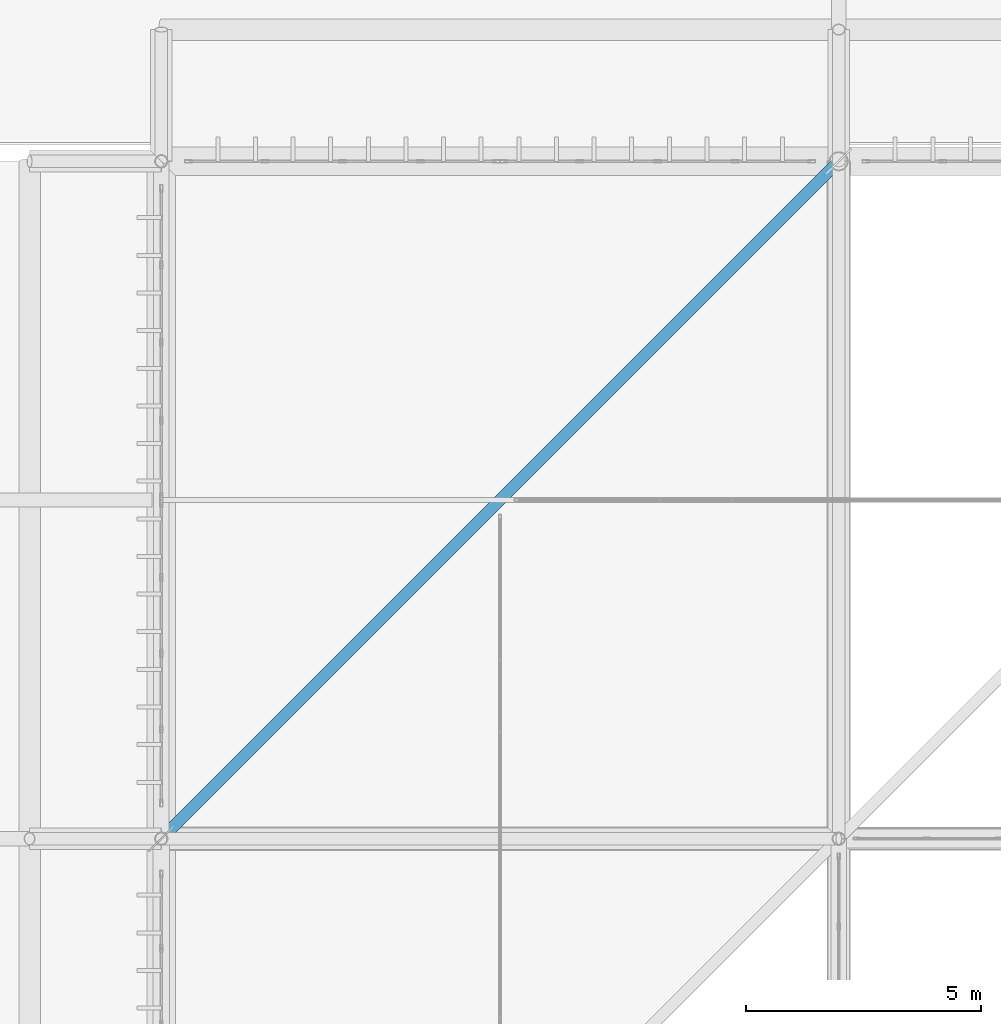
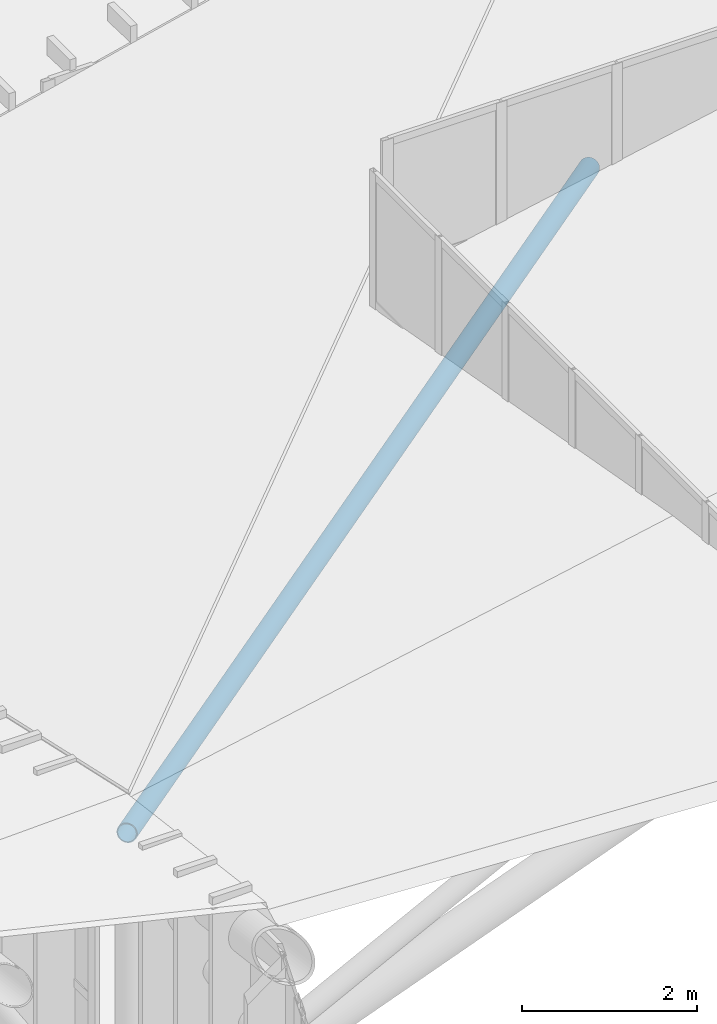
# One storey, part 221 of 397: 1 member.
"""IFC4 building model written with IfcOpenShell, lengths in metres."""

from ifc_helpers import new_model, si_unit, direction, frame, origin, origin_2d, place, context, subcontext, project, spatial, hollow_circle, extrude, material, material_profile, profile_set, type_object, element, save


model = new_model("IFC4")

# Units and contexts
model_context = context("Model", 3, precision=1e-05, world=origin(), true_north=direction((0.0, 1.0)))
body_context = subcontext(model_context, "Body", "Model", "MODEL_VIEW")
ifc_project = project(units=[si_unit("LENGTHUNIT", "METRE"), si_unit("AREAUNIT", "SQUARE_METRE"), si_unit("VOLUMEUNIT", "CUBIC_METRE"), si_unit("PLANEANGLEUNIT", "RADIAN"), si_unit("MASSUNIT", "GRAM", prefix="KILO")], contexts=[model_context])

# Site, building, storey
site_placement = place(None, origin())
site = spatial("IfcSite", under=ifc_project, at=site_placement, CompositionType="ELEMENT")
building_placement = place(site_placement, origin())
building = spatial("IfcBuilding", under=site, at=building_placement, Name="Qandorah Velis Arena", CompositionType="ELEMENT")
storey_placement = place(building_placement, frame((0.0, 0.0, 27.5)))
storey = spatial("IfcBuildingStorey", under=building, at=storey_placement, Name="RF", CompositionType="ELEMENT", Elevation=27.5)

# Member
ifc_material = material(Name="Steel S355", Category="steel")
ifc_material_profile = material_profile(ifc_material, hollow_circle(Radius=0.122314453125, WallThickness=0.012451171875, at=origin_2d()), Name="CHS 244.5x12.5")
ifc_profile_set = profile_set([ifc_material_profile], Name="Steel S355")
member_type = type_object("IfcMemberType", Name="STR-SFD-CHS244X12", PredefinedType="STRUT", material=ifc_profile_set)
member_placement = place(storey_placement, frame((28.800048828125, 115.199951171875, 0.10009765625), z_axis=(-0.690397530124, -0.690385825098, 0.216145004345), x_axis=(0.707100786953, -0.707112775369, 0.0)))
element("IfcMember", 1, at=member_placement, inside=storey, type_object=member_type, Name="Space frame roof spatial diagonal 0.6", PredefinedType="STRUT", context=body_context, shape_type="SweptSolid", body=[
    extrude(hollow_circle(Radius=0.122314453125, WallThickness=0.012451171875, at=origin_2d()), origin(), (0.0, 0.0, 1.0), 20.857666015625),
])

save(model, "model.ifc")
